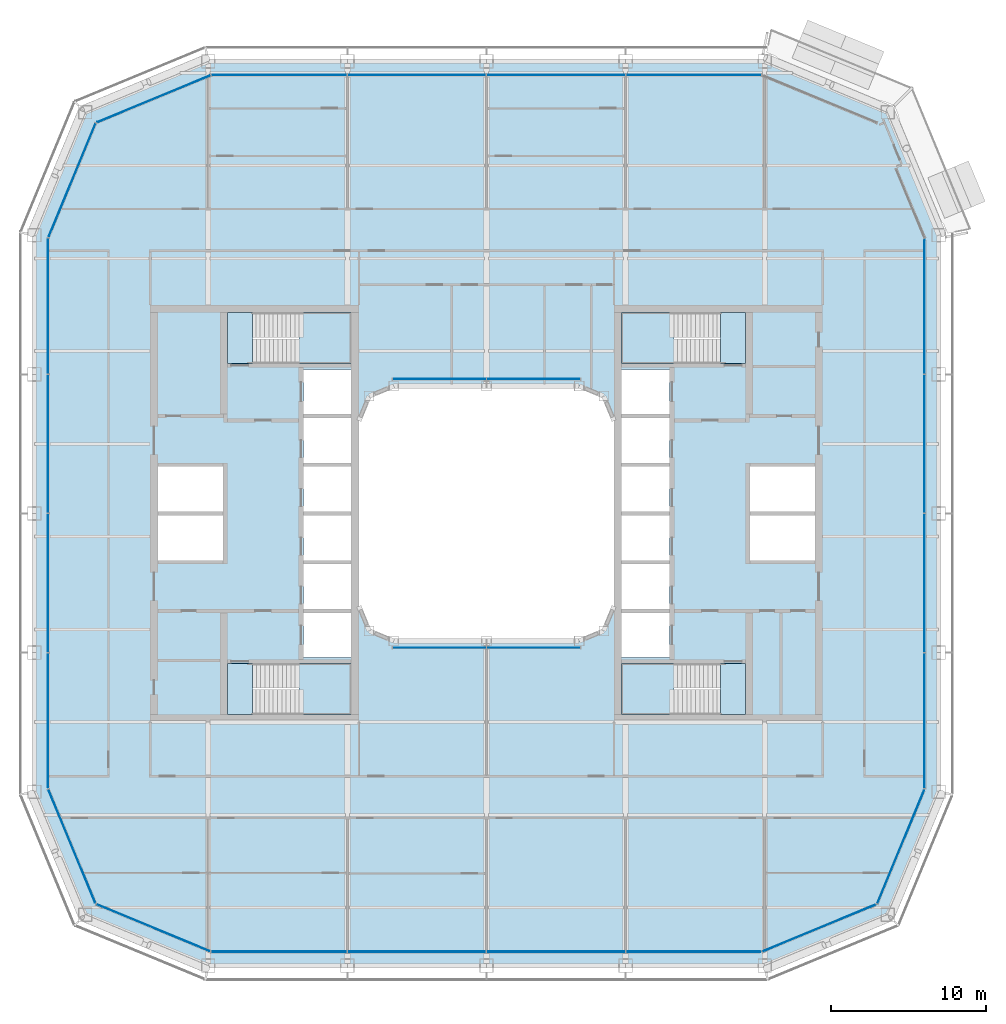
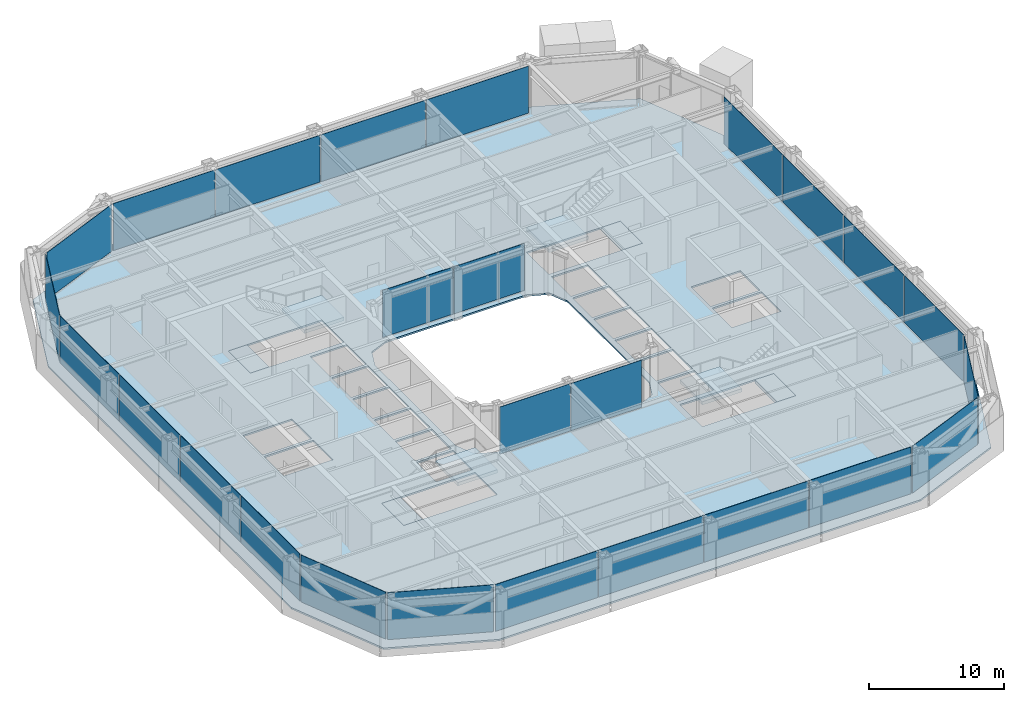
# One storey, part 10 of 24: 26 plates, 9 slabs, 16 elements without a shape of their own.
"""IFC4 building model written with IfcOpenShell, lengths in metres."""

from ifc_helpers import new_model, si_unit, direction, frame, origin, origin_2d, place, context, subcontext, project, spatial, polyline, rectangle, outline, extrude, material, layer, layer_set, type_object, element, aggregate, save


model = new_model("IFC4")

# Units and contexts
model_context = context("Model", 3, precision=1e-05, world=origin(), true_north=direction((0.0, 1.0)))
body_context = subcontext(model_context, "Body", "Model", "MODEL_VIEW")
ifc_project = project(units=[si_unit("LENGTHUNIT", "METRE"), si_unit("AREAUNIT", "SQUARE_METRE"), si_unit("VOLUMEUNIT", "CUBIC_METRE"), si_unit("PLANEANGLEUNIT", "RADIAN"), si_unit("MASSUNIT", "GRAM", prefix="KILO")], contexts=[model_context])

# Site, building, storey
site_placement = place(None, origin())
site = spatial("IfcSite", under=ifc_project, at=site_placement, CompositionType="ELEMENT")
building_placement = place(site_placement, origin())
building = spatial("IfcBuilding", under=site, at=building_placement, Name="Siwar Civic Tower", CompositionType="ELEMENT")
storey_placement = place(building_placement, frame((0.0, 0.0, 149.699951171875)))
storey = spatial("IfcBuildingStorey", under=building, at=storey_placement, Name="L32", CompositionType="ELEMENT", Elevation=149.699951171875)

# Stair, slabs
ifc_material_1 = material(Name="Concrete C40/50", Category="concrete")
stair_type = type_object("IfcStairType", Name="CORE-STAIR", PredefinedType="TWO_STRAIGHT_RUN_STAIR", material=ifc_material_1)
stair_1_placement = place(storey_placement, origin())
stair_1 = element("IfcStair", 1, at=stair_1_placement, inside=storey, type_object=stair_type, Name="Exit stair ST1", PredefinedType="TWO_STRAIGHT_RUN_STAIR")
ifc_material_2 = material(Name="Concrete C40/50", Category="concrete")
ifc_layer_1 = layer(ifc_material_2, 0.300048828125)
ifc_layer_set_1 = layer_set([ifc_layer_1], Name="Concrete C40/50")
slab_type_1 = type_object("IfcSlabType", Name="CORE-STAIR-LANDING", PredefinedType="LANDING", material=ifc_layer_set_1)
slab_1_placement = place(storey_placement, frame((0.0, 0.0, -0.300048828125)))
slab_1 = element("IfcSlab", 2, at=slab_1_placement, type_object=slab_type_1, Name="ST1 landing 1", PredefinedType="LANDING", context=body_context, shape_type="SweptSolid", body=[
    extrude(outline(polyline([(-15.14990234375, 13.0), (-16.75, 13.0), (-16.75, 9.699951171875), (-15.14990234375, 9.699951171875), (-15.14990234375, 13.0)])), origin(), (0.0, 0.0, 1.0), 0.300048828125),
])
slab_2_placement = place(storey_placement, frame((0.0, 0.0, 1.949951171875)))
slab_2 = element("IfcSlab", 3, at=slab_2_placement, type_object=slab_type_1, Name="ST1 landing 2", PredefinedType="LANDING", context=body_context, shape_type="SweptSolid", body=[
    extrude(outline(polyline([(-8.75, 13.0), (-12.139892578125, 13.0), (-12.139892578125, 9.699951171875), (-8.75, 9.699951171875), (-8.75, 13.0)])), origin(), (0.0, 0.0, 1.0), 0.300048828125),
])
aggregate(stair_1, [slab_1, slab_2])

stair_2_placement = place(storey_placement, origin())
stair_2 = element("IfcStair", 4, at=stair_2_placement, inside=storey, type_object=stair_type, Name="Exit stair ST2", PredefinedType="TWO_STRAIGHT_RUN_STAIR")
slab_3_placement = place(storey_placement, frame((0.0, 0.0, -0.300048828125)))
slab_3 = element("IfcSlab", 5, at=slab_3_placement, type_object=slab_type_1, Name="ST2 landing 1", PredefinedType="LANDING", context=body_context, shape_type="SweptSolid", body=[
    extrude(outline(polyline([(-15.14990234375, -9.699951171875), (-16.75, -9.699951171875), (-16.75, -13.0), (-15.14990234375, -13.0), (-15.14990234375, -9.699951171875)])), origin(), (0.0, 0.0, 1.0), 0.300048828125),
])
slab_4_placement = place(storey_placement, frame((0.0, 0.0, 1.949951171875)))
slab_4 = element("IfcSlab", 6, at=slab_4_placement, type_object=slab_type_1, Name="ST2 landing 2", PredefinedType="LANDING", context=body_context, shape_type="SweptSolid", body=[
    extrude(outline(polyline([(-8.75, -9.699951171875), (-12.139892578125, -9.699951171875), (-12.139892578125, -13.0), (-8.75, -13.0), (-8.75, -9.699951171875)])), origin(), (0.0, 0.0, 1.0), 0.300048828125),
])
aggregate(stair_2, [slab_3, slab_4])

stair_3_placement = place(storey_placement, origin())
stair_3 = element("IfcStair", 7, at=stair_3_placement, inside=storey, type_object=stair_type, Name="Exit stair ST3", PredefinedType="TWO_STRAIGHT_RUN_STAIR")
slab_5_placement = place(storey_placement, frame((0.0, 0.0, -0.300048828125)))
slab_5 = element("IfcSlab", 8, at=slab_5_placement, type_object=slab_type_1, Name="ST3 landing 1", PredefinedType="LANDING", context=body_context, shape_type="SweptSolid", body=[
    extrude(outline(polyline([(15.14990234375, 9.699951171875), (16.75, 9.699951171875), (16.75, 13.0), (15.14990234375, 13.0), (15.14990234375, 9.699951171875)])), origin(), (0.0, 0.0, 1.0), 0.300048828125),
])
slab_6_placement = place(storey_placement, frame((0.0, 0.0, 1.949951171875)))
slab_6 = element("IfcSlab", 9, at=slab_6_placement, type_object=slab_type_1, Name="ST3 landing 2", PredefinedType="LANDING", context=body_context, shape_type="SweptSolid", body=[
    extrude(outline(polyline([(8.75, 9.699951171875), (12.139892578125, 9.699951171875), (12.139892578125, 13.0), (8.75, 13.0), (8.75, 9.699951171875)])), origin(), (0.0, 0.0, 1.0), 0.300048828125),
])
aggregate(stair_3, [slab_5, slab_6])

stair_4_placement = place(storey_placement, origin())
stair_4 = element("IfcStair", 10, at=stair_4_placement, inside=storey, type_object=stair_type, Name="Exit stair ST4", PredefinedType="TWO_STRAIGHT_RUN_STAIR")
slab_7_placement = place(storey_placement, frame((0.0, 0.0, -0.300048828125)))
slab_7 = element("IfcSlab", 11, at=slab_7_placement, type_object=slab_type_1, Name="ST4 landing 1", PredefinedType="LANDING", context=body_context, shape_type="SweptSolid", body=[
    extrude(outline(polyline([(15.14990234375, -13.0), (16.75, -13.0), (16.75, -9.699951171875), (15.14990234375, -9.699951171875), (15.14990234375, -13.0)])), origin(), (0.0, 0.0, 1.0), 0.300048828125),
])
slab_8_placement = place(storey_placement, frame((0.0, 0.0, 1.949951171875)))
slab_8 = element("IfcSlab", 12, at=slab_8_placement, type_object=slab_type_1, Name="ST4 landing 2", PredefinedType="LANDING", context=body_context, shape_type="SweptSolid", body=[
    extrude(outline(polyline([(8.75, -13.0), (12.139892578125, -13.0), (12.139892578125, -9.699951171875), (8.75, -9.699951171875), (8.75, -13.0)])), origin(), (0.0, 0.0, 1.0), 0.300048828125),
])
aggregate(stair_4, [slab_7, slab_8])

# Curtain wall, plates
ifc_material_3 = material(Name="Aluminium and glass", Category="aluminium")
ifc_layer_2 = layer(ifc_material_3, 0.199951171875)
ifc_layer_set_2 = layer_set([ifc_layer_2], Name="Aluminium and glass")
curtain_wall_type_1 = type_object("IfcCurtainWallType", Name="ENV-CW-B", PredefinedType="NOTDEFINED", material=ifc_layer_set_2)
curtain_wall_1_placement = place(storey_placement, origin())
curtain_wall_1 = element("IfcCurtainWall", 13, at=curtain_wall_1_placement, inside=storey, type_object=curtain_wall_type_1, Name="Curtain wall B S", PredefinedType="NOTDEFINED")
ifc_material_4 = material(Name="Glass clear laminated", Category="glass")
ifc_layer_3 = layer(ifc_material_4, 0.033935546875)
ifc_layer_set_3 = layer_set([ifc_layer_3], Name="Glass clear laminated")
plate_type_1 = type_object("IfcPlateType", Name="ENV-PANEL-B", PredefinedType="CURTAIN_PANEL", material=ifc_layer_set_3)
plate_1_placement = place(storey_placement, frame((-13.410400390625, -28.35009765625, 0.10986328125), z_axis=(0.0, 0.0, 1.0), x_axis=(1.0, 0.0, 0.0)))
plate_1 = element("IfcPlate", 14, at=plate_1_placement, type_object=plate_type_1, Name="Curtain panel B S 1", PredefinedType="CURTAIN_PANEL", context=body_context, shape_type="SweptSolid", body=[
    extrude(rectangle(XDim=8.755859375, YDim=0.033935546875, at=origin_2d()), origin(), (0.0, 0.0, 1.0), 4.239990234375),
])
plate_2_placement = place(storey_placement, frame((-4.5, -28.35009765625, 0.10986328125), z_axis=(0.0, 0.0, 1.0), x_axis=(1.0, 0.0, 0.0)))
plate_2 = element("IfcPlate", 15, at=plate_2_placement, type_object=plate_type_1, Name="Curtain panel B S 2", PredefinedType="CURTAIN_PANEL", context=body_context, shape_type="SweptSolid", body=[
    extrude(rectangle(XDim=8.93505859375, YDim=0.033935546875, at=origin_2d()), origin(), (0.0, 0.0, 1.0), 4.239990234375),
])
plate_3_placement = place(storey_placement, frame((4.5, -28.35009765625, 0.10986328125), z_axis=(0.0, 0.0, 1.0), x_axis=(1.0, 0.0, 0.0)))
plate_3 = element("IfcPlate", 16, at=plate_3_placement, type_object=plate_type_1, Name="Curtain panel B S 3", PredefinedType="CURTAIN_PANEL", context=body_context, shape_type="SweptSolid", body=[
    extrude(rectangle(XDim=8.93505859375, YDim=0.033935546875, at=origin_2d()), origin(), (0.0, 0.0, 1.0), 4.239990234375),
])
plate_4_placement = place(storey_placement, frame((13.369873046875, -28.35009765625, 0.10986328125), z_axis=(0.0, 0.0, 1.0), x_axis=(1.0, 0.0, 0.0)))
plate_4 = element("IfcPlate", 17, at=plate_4_placement, type_object=plate_type_1, Name="Curtain panel B S 4", PredefinedType="CURTAIN_PANEL", context=body_context, shape_type="SweptSolid", body=[
    extrude(rectangle(XDim=8.6748046875, YDim=0.033935546875, at=origin_2d()), origin(), (0.0, 0.0, 1.0), 4.239990234375),
])
aggregate(curtain_wall_1, [plate_1, plate_2, plate_3, plate_4])

curtain_wall_2_placement = place(storey_placement, origin())
curtain_wall_2 = element("IfcCurtainWall", 18, at=curtain_wall_2_placement, inside=storey, type_object=curtain_wall_type_1, Name="Curtain wall B E", PredefinedType="NOTDEFINED")
plate_5_placement = place(storey_placement, frame((28.35009765625, -13.410400390625, 0.10986328125), z_axis=(0.0, 0.0, 1.0), x_axis=(0.0, 1.0, 0.0)))
plate_5 = element("IfcPlate", 19, at=plate_5_placement, type_object=plate_type_1, Name="Curtain panel B E 1", PredefinedType="CURTAIN_PANEL", context=body_context, shape_type="SweptSolid", body=[
    extrude(rectangle(XDim=8.755859375, YDim=0.033935546875, at=origin_2d()), origin(), (0.0, 0.0, 1.0), 4.239990234375),
])
plate_6_placement = place(storey_placement, frame((28.35009765625, -4.5, 0.10986328125), z_axis=(0.0, 0.0, 1.0), x_axis=(0.0, 1.0, 0.0)))
plate_6 = element("IfcPlate", 20, at=plate_6_placement, type_object=plate_type_1, Name="Curtain panel B E 2", PredefinedType="CURTAIN_PANEL", context=body_context, shape_type="SweptSolid", body=[
    extrude(rectangle(XDim=8.93505859375, YDim=0.033935546875, at=origin_2d()), origin(), (0.0, 0.0, 1.0), 4.239990234375),
])
plate_7_placement = place(storey_placement, frame((28.35009765625, 4.5, 0.10986328125), z_axis=(0.0, 0.0, 1.0), x_axis=(0.0, 1.0, 0.0)))
plate_7 = element("IfcPlate", 21, at=plate_7_placement, type_object=plate_type_1, Name="Curtain panel B E 3", PredefinedType="CURTAIN_PANEL", context=body_context, shape_type="SweptSolid", body=[
    extrude(rectangle(XDim=8.93505859375, YDim=0.033935546875, at=origin_2d()), origin(), (0.0, 0.0, 1.0), 4.239990234375),
])
plate_8_placement = place(storey_placement, frame((28.35009765625, 13.369873046875, 0.10986328125), z_axis=(0.0, 0.0, 1.0), x_axis=(0.0, 1.0, 0.0)))
plate_8 = element("IfcPlate", 22, at=plate_8_placement, type_object=plate_type_1, Name="Curtain panel B E 4", PredefinedType="CURTAIN_PANEL", context=body_context, shape_type="SweptSolid", body=[
    extrude(rectangle(XDim=8.6748046875, YDim=0.033935546875, at=origin_2d()), origin(), (0.0, 0.0, 1.0), 4.239990234375),
])
aggregate(curtain_wall_2, [plate_5, plate_6, plate_7, plate_8])

curtain_wall_3_placement = place(storey_placement, origin())
curtain_wall_3 = element("IfcCurtainWall", 23, at=curtain_wall_3_placement, inside=storey, type_object=curtain_wall_type_1, Name="Curtain wall B N", PredefinedType="NOTDEFINED")
plate_9_placement = place(storey_placement, frame((13.410400390625, 28.35009765625, 0.10986328125), z_axis=(0.0, 0.0, 1.0), x_axis=(-1.0, 0.0, 0.0)))
plate_9 = element("IfcPlate", 24, at=plate_9_placement, type_object=plate_type_1, Name="Curtain panel B N 1", PredefinedType="CURTAIN_PANEL", context=body_context, shape_type="SweptSolid", body=[
    extrude(rectangle(XDim=8.755859375, YDim=0.033935546875, at=origin_2d()), origin(), (0.0, 0.0, 1.0), 4.239990234375),
])
plate_10_placement = place(storey_placement, frame((4.5, 28.35009765625, 0.10986328125), z_axis=(0.0, 0.0, 1.0), x_axis=(-1.0, 0.0, 0.0)))
plate_10 = element("IfcPlate", 25, at=plate_10_placement, type_object=plate_type_1, Name="Curtain panel B N 2", PredefinedType="CURTAIN_PANEL", context=body_context, shape_type="SweptSolid", body=[
    extrude(rectangle(XDim=8.93505859375, YDim=0.033935546875, at=origin_2d()), origin(), (0.0, 0.0, 1.0), 4.239990234375),
])
plate_11_placement = place(storey_placement, frame((-4.5, 28.35009765625, 0.10986328125), z_axis=(0.0, 0.0, 1.0), x_axis=(-1.0, 0.0, 0.0)))
plate_11 = element("IfcPlate", 26, at=plate_11_placement, type_object=plate_type_1, Name="Curtain panel B N 3", PredefinedType="CURTAIN_PANEL", context=body_context, shape_type="SweptSolid", body=[
    extrude(rectangle(XDim=8.93505859375, YDim=0.033935546875, at=origin_2d()), origin(), (0.0, 0.0, 1.0), 4.239990234375),
])
plate_12_placement = place(storey_placement, frame((-13.369873046875, 28.35009765625, 0.10986328125), z_axis=(0.0, 0.0, 1.0), x_axis=(-1.0, 0.0, 0.0)))
plate_12 = element("IfcPlate", 27, at=plate_12_placement, type_object=plate_type_1, Name="Curtain panel B N 4", PredefinedType="CURTAIN_PANEL", context=body_context, shape_type="SweptSolid", body=[
    extrude(rectangle(XDim=8.6748046875, YDim=0.033935546875, at=origin_2d()), origin(), (0.0, 0.0, 1.0), 4.239990234375),
])
aggregate(curtain_wall_3, [plate_9, plate_10, plate_11, plate_12])

curtain_wall_4_placement = place(storey_placement, origin())
curtain_wall_4 = element("IfcCurtainWall", 28, at=curtain_wall_4_placement, inside=storey, type_object=curtain_wall_type_1, Name="Curtain wall B W", PredefinedType="NOTDEFINED")
plate_13_placement = place(storey_placement, frame((-28.35009765625, 13.410400390625, 0.10986328125), z_axis=(0.0, 0.0, 1.0), x_axis=(0.0, -1.0, 0.0)))
plate_13 = element("IfcPlate", 29, at=plate_13_placement, type_object=plate_type_1, Name="Curtain panel B W 1", PredefinedType="CURTAIN_PANEL", context=body_context, shape_type="SweptSolid", body=[
    extrude(rectangle(XDim=8.755859375, YDim=0.033935546875, at=origin_2d()), origin(), (0.0, 0.0, 1.0), 4.239990234375),
])
plate_14_placement = place(storey_placement, frame((-28.35009765625, 4.5, 0.10986328125), z_axis=(0.0, 0.0, 1.0), x_axis=(0.0, -1.0, 0.0)))
plate_14 = element("IfcPlate", 30, at=plate_14_placement, type_object=plate_type_1, Name="Curtain panel B W 2", PredefinedType="CURTAIN_PANEL", context=body_context, shape_type="SweptSolid", body=[
    extrude(rectangle(XDim=8.93505859375, YDim=0.033935546875, at=origin_2d()), origin(), (0.0, 0.0, 1.0), 4.239990234375),
])
plate_15_placement = place(storey_placement, frame((-28.35009765625, -4.5, 0.10986328125), z_axis=(0.0, 0.0, 1.0), x_axis=(0.0, -1.0, 0.0)))
plate_15 = element("IfcPlate", 31, at=plate_15_placement, type_object=plate_type_1, Name="Curtain panel B W 3", PredefinedType="CURTAIN_PANEL", context=body_context, shape_type="SweptSolid", body=[
    extrude(rectangle(XDim=8.93505859375, YDim=0.033935546875, at=origin_2d()), origin(), (0.0, 0.0, 1.0), 4.239990234375),
])
plate_16_placement = place(storey_placement, frame((-28.35009765625, -13.369873046875, 0.10986328125), z_axis=(0.0, 0.0, 1.0), x_axis=(0.0, -1.0, 0.0)))
plate_16 = element("IfcPlate", 32, at=plate_16_placement, type_object=plate_type_1, Name="Curtain panel B W 4", PredefinedType="CURTAIN_PANEL", context=body_context, shape_type="SweptSolid", body=[
    extrude(rectangle(XDim=8.6748046875, YDim=0.033935546875, at=origin_2d()), origin(), (0.0, 0.0, 1.0), 4.239990234375),
])
aggregate(curtain_wall_4, [plate_13, plate_14, plate_15, plate_16])

# Curtain wall, plate
ifc_material_5 = material(Name="Aluminium clad insulated panel", Category="aluminium")
ifc_layer_4 = layer(ifc_material_5, 0.199951171875)
ifc_layer_set_4 = layer_set([ifc_layer_4], Name="Aluminium clad insulated panel")
curtain_wall_type_2 = type_object("IfcCurtainWallType", Name="ENV-CW-BX", PredefinedType="NOTDEFINED", material=ifc_layer_set_4)
curtain_wall_5_placement = place(storey_placement, origin())
curtain_wall_5 = element("IfcCurtainWall", 33, at=curtain_wall_5_placement, inside=storey, type_object=curtain_wall_type_2, Name="Curtain wall B SE1", PredefinedType="NOTDEFINED")
ifc_material_6 = material(Name="Aluminium clad insulated panel", Category="aluminium")
ifc_layer_5 = layer(ifc_material_6, 0.033935546875)
ifc_layer_set_5 = layer_set([ifc_layer_5], Name="Aluminium clad insulated panel")
plate_type_2 = type_object("IfcPlateType", Name="ENV-PANEL-BX", PredefinedType="CURTAIN_PANEL", material=ifc_layer_set_5)
plate_17_placement = place(storey_placement, frame((21.506103515625, -26.823486328125, 0.10986328125), z_axis=(0.0, 0.0, 1.0), x_axis=(0.923879532511, 0.382683432365, 0.0)))
plate_17 = element("IfcPlate", 34, at=plate_17_placement, type_object=plate_type_2, Name="Curtain panel B SE1 1", PredefinedType="CURTAIN_PANEL", context=body_context, shape_type="SweptSolid", body=[
    extrude(rectangle(XDim=7.912353515625, YDim=0.033935546875, at=origin_2d()), origin(), (0.0, 0.0, 1.0), 4.239990234375),
])
aggregate(curtain_wall_5, [plate_17])

curtain_wall_6_placement = place(storey_placement, origin())
curtain_wall_6 = element("IfcCurtainWall", 35, at=curtain_wall_6_placement, inside=storey, type_object=curtain_wall_type_2, Name="Curtain wall B SE2", PredefinedType="NOTDEFINED")
plate_18_placement = place(storey_placement, frame((26.79248046875, -21.5810546875, 0.10986328125), z_axis=(0.0, 0.0, 1.0), x_axis=(0.382683432365, 0.923879532511, 0.0)))
plate_18 = element("IfcPlate", 36, at=plate_18_placement, type_object=plate_type_2, Name="Curtain panel B SE2 1", PredefinedType="CURTAIN_PANEL", context=body_context, shape_type="SweptSolid", body=[
    extrude(rectangle(XDim=7.912353515625, YDim=0.033935546875, at=origin_2d()), origin(), (0.0, 0.0, 1.0), 4.239990234375),
])
aggregate(curtain_wall_6, [plate_18])

curtain_wall_7_placement = place(storey_placement, origin())
curtain_wall_7 = element("IfcCurtainWall", 37, at=curtain_wall_7_placement, inside=storey, type_object=curtain_wall_type_2, Name="Curtain wall B NW1", PredefinedType="NOTDEFINED")
plate_19_placement = place(storey_placement, frame((-21.506103515625, 26.823486328125, 0.10986328125), z_axis=(0.0, 0.0, 1.0), x_axis=(-0.923879532511, -0.382683432365, 0.0)))
plate_19 = element("IfcPlate", 38, at=plate_19_placement, type_object=plate_type_2, Name="Curtain panel B NW1 1", PredefinedType="CURTAIN_PANEL", context=body_context, shape_type="SweptSolid", body=[
    extrude(rectangle(XDim=7.912353515625, YDim=0.033935546875, at=origin_2d()), origin(), (0.0, 0.0, 1.0), 4.239990234375),
])
aggregate(curtain_wall_7, [plate_19])

curtain_wall_8_placement = place(storey_placement, origin())
curtain_wall_8 = element("IfcCurtainWall", 39, at=curtain_wall_8_placement, inside=storey, type_object=curtain_wall_type_2, Name="Curtain wall B NW2", PredefinedType="NOTDEFINED")
plate_20_placement = place(storey_placement, frame((-26.79248046875, 21.5810546875, 0.10986328125), z_axis=(0.0, 0.0, 1.0), x_axis=(-0.382683432365, -0.923879532511, 0.0)))
plate_20 = element("IfcPlate", 40, at=plate_20_placement, type_object=plate_type_2, Name="Curtain panel B NW2 1", PredefinedType="CURTAIN_PANEL", context=body_context, shape_type="SweptSolid", body=[
    extrude(rectangle(XDim=7.912353515625, YDim=0.033935546875, at=origin_2d()), origin(), (0.0, 0.0, 1.0), 4.239990234375),
])
aggregate(curtain_wall_8, [plate_20])

curtain_wall_9_placement = place(storey_placement, origin())
curtain_wall_9 = element("IfcCurtainWall", 41, at=curtain_wall_9_placement, inside=storey, type_object=curtain_wall_type_2, Name="Curtain wall B SW1", PredefinedType="NOTDEFINED")
plate_21_placement = place(storey_placement, frame((-26.823486328125, -21.506103515625, 0.10986328125), z_axis=(0.0, 0.0, 1.0), x_axis=(0.382683432365, -0.923879532511, 0.0)))
plate_21 = element("IfcPlate", 42, at=plate_21_placement, type_object=plate_type_2, Name="Curtain panel B SW1 1", PredefinedType="CURTAIN_PANEL", context=body_context, shape_type="SweptSolid", body=[
    extrude(rectangle(XDim=7.912353515625, YDim=0.033935546875, at=origin_2d()), origin(), (0.0, 0.0, 1.0), 4.239990234375),
])
aggregate(curtain_wall_9, [plate_21])

curtain_wall_10_placement = place(storey_placement, origin())
curtain_wall_10 = element("IfcCurtainWall", 43, at=curtain_wall_10_placement, inside=storey, type_object=curtain_wall_type_2, Name="Curtain wall B SW2", PredefinedType="NOTDEFINED")
plate_22_placement = place(storey_placement, frame((-21.5810546875, -26.79248046875, 0.10986328125), z_axis=(0.0, 0.0, 1.0), x_axis=(0.923879532511, -0.382683432365, 0.0)))
plate_22 = element("IfcPlate", 44, at=plate_22_placement, type_object=plate_type_2, Name="Curtain panel B SW2 1", PredefinedType="CURTAIN_PANEL", context=body_context, shape_type="SweptSolid", body=[
    extrude(rectangle(XDim=7.912353515625, YDim=0.033935546875, at=origin_2d()), origin(), (0.0, 0.0, 1.0), 4.239990234375),
])
aggregate(curtain_wall_10, [plate_22])

# Curtain wall, plates
ifc_material_7 = material(Name="Aluminium and glass", Category="aluminium")
ifc_layer_6 = layer(ifc_material_7, 0.179931640625)
ifc_layer_set_6 = layer_set([ifc_layer_6], Name="Aluminium and glass")
curtain_wall_type_3 = type_object("IfcCurtainWallType", Name="ENV-CW-W", PredefinedType="NOTDEFINED", material=ifc_layer_set_6)
curtain_wall_11_placement = place(storey_placement, origin())
curtain_wall_11 = element("IfcCurtainWall", 45, at=curtain_wall_11_placement, inside=storey, type_object=curtain_wall_type_3, Name="Curtain wall W WS", PredefinedType="NOTDEFINED")
ifc_material_8 = material(Name="Glass clear laminated", Category="glass")
ifc_layer_7 = layer(ifc_material_8, 0.031982421875)
ifc_layer_set_7 = layer_set([ifc_layer_7], Name="Glass clear laminated")
plate_type_3 = type_object("IfcPlateType", Name="ENV-PANEL-W", PredefinedType="CURTAIN_PANEL", material=ifc_layer_set_7)
plate_23_placement = place(storey_placement, frame((-3.043212890625, -8.68505859375, 0.10009765625), z_axis=(0.0, 0.0, 1.0), x_axis=(1.0, 0.0, 0.0)))
plate_23 = element("IfcPlate", 46, at=plate_23_placement, type_object=plate_type_3, Name="Curtain panel W WS 1", PredefinedType="CURTAIN_PANEL", context=body_context, shape_type="SweptSolid", body=[
    extrude(rectangle(XDim=6.026611328125, YDim=0.031982421875, at=origin_2d()), origin(), (0.0, 0.0, 1.0), 4.25),
])
plate_24_placement = place(storey_placement, frame((3.043212890625, -8.68505859375, 0.10009765625), z_axis=(0.0, 0.0, 1.0), x_axis=(1.0, 0.0, 0.0)))
plate_24 = element("IfcPlate", 47, at=plate_24_placement, type_object=plate_type_3, Name="Curtain panel W WS 2", PredefinedType="CURTAIN_PANEL", context=body_context, shape_type="SweptSolid", body=[
    extrude(rectangle(XDim=6.026611328125, YDim=0.031982421875, at=origin_2d()), origin(), (0.0, 0.0, 1.0), 4.25),
])
aggregate(curtain_wall_11, [plate_23, plate_24])

curtain_wall_12_placement = place(storey_placement, origin())
curtain_wall_12 = element("IfcCurtainWall", 48, at=curtain_wall_12_placement, inside=storey, type_object=curtain_wall_type_3, Name="Curtain wall W WN", PredefinedType="NOTDEFINED")
plate_25_placement = place(storey_placement, frame((3.043212890625, 8.68505859375, 0.10009765625), z_axis=(0.0, 0.0, 1.0), x_axis=(-1.0, 0.0, 0.0)))
plate_25 = element("IfcPlate", 49, at=plate_25_placement, type_object=plate_type_3, Name="Curtain panel W WN 1", PredefinedType="CURTAIN_PANEL", context=body_context, shape_type="SweptSolid", body=[
    extrude(rectangle(XDim=6.026611328125, YDim=0.031982421875, at=origin_2d()), origin(), (0.0, 0.0, 1.0), 4.25),
])
plate_26_placement = place(storey_placement, frame((-3.043212890625, 8.68505859375, 0.10009765625), z_axis=(0.0, 0.0, 1.0), x_axis=(-1.0, 0.0, 0.0)))
plate_26 = element("IfcPlate", 50, at=plate_26_placement, type_object=plate_type_3, Name="Curtain panel W WN 2", PredefinedType="CURTAIN_PANEL", context=body_context, shape_type="SweptSolid", body=[
    extrude(rectangle(XDim=6.026611328125, YDim=0.031982421875, at=origin_2d()), origin(), (0.0, 0.0, 1.0), 4.25),
])
aggregate(curtain_wall_12, [plate_25, plate_26])

# Slab
ifc_material_9 = material(Name="Concrete C40/50", Category="concrete")
ifc_layer_8 = layer(ifc_material_9, 0.14990234375)
ifc_layer_set_8 = layer_set([ifc_layer_8], Name="Concrete C40/50")
slab_type_2 = type_object("IfcSlabType", Name="STR-FLOOR-DECK-150", PredefinedType="FLOOR", material=ifc_layer_set_8)
slab_9_placement = place(storey_placement, frame((0.0, 0.0, -0.14990234375)))
element("IfcSlab", 51, at=slab_9_placement, inside=storey, type_object=slab_type_2, Name="L32/slab/1", PredefinedType="FLOOR", context=body_context, shape_type="SweptSolid", body=[
    extrude(outline(polyline([(-18.0, -29.25), (18.0, -29.25), (25.954833984375, -25.954833984375), (29.25, -18.0), (29.25, 18.0), (25.954833984375, 25.954833984375), (18.0, 29.25), (-18.0, 29.25), (-25.954833984375, 25.954833984375), (-29.25, 18.0), (-29.25, -18.0), (-25.954833984375, -25.954833984375), (-18.0, -29.25)]), holes=[polyline([(21.25, 3.02490234375), (21.25, 0.125), (17.050048828125, 0.125), (17.050048828125, 3.02490234375), (21.25, 3.02490234375)]), polyline([(17.050048828125, -0.125), (21.25, -0.125), (21.25, -3.02490234375), (17.050048828125, -3.02490234375), (17.050048828125, -0.125)]), polyline([(16.75, 13.0), (16.75, 9.699951171875), (8.75, 9.699951171875), (8.75, 13.0), (16.75, 13.0)]), polyline([(8.75, -9.699951171875), (16.75, -9.699951171875), (16.75, -13.0), (8.75, -13.0), (8.75, -9.699951171875)]), polyline([(11.85009765625, 9.324951171875), (11.85009765625, 6.425048828125), (8.75, 6.425048828125), (8.75, 9.324951171875), (11.85009765625, 9.324951171875)]), polyline([(11.85009765625, 3.02490234375), (11.85009765625, 0.125), (8.75, 0.125), (8.75, 3.02490234375), (11.85009765625, 3.02490234375)]), polyline([(11.85009765625, -0.125), (11.85009765625, -3.02490234375), (8.75, -3.02490234375), (8.75, -0.125), (11.85009765625, -0.125)]), polyline([(11.85009765625, -3.27490234375), (11.85009765625, -6.175048828125), (8.75, -6.175048828125), (8.75, -3.27490234375), (11.85009765625, -3.27490234375)]), polyline([(8.75, 6.175048828125), (11.85009765625, 6.175048828125), (11.85009765625, 3.27490234375), (8.75, 3.27490234375), (8.75, 6.175048828125)]), polyline([(8.75, -6.425048828125), (11.85009765625, -6.425048828125), (11.85009765625, -9.324951171875), (8.75, -9.324951171875), (8.75, -6.425048828125)]), polyline([(-6.0, 8.25), (6.0, 8.25), (7.591064453125, 7.591064453125), (8.25, 6.0), (8.25, -6.0), (7.591064453125, -7.591064453125), (6.0, -8.25), (-6.0, -8.25), (-7.591064453125, -7.591064453125), (-8.25, -6.0), (-8.25, 6.0), (-7.591064453125, 7.591064453125), (-6.0, 8.25)]), polyline([(-8.75, 9.699951171875), (-16.75, 9.699951171875), (-16.75, 13.0), (-8.75, 13.0), (-8.75, 9.699951171875)]), polyline([(-8.75, 0.125), (-11.85009765625, 0.125), (-11.85009765625, 3.02490234375), (-8.75, 3.02490234375), (-8.75, 0.125)]), polyline([(-8.75, -6.175048828125), (-11.85009765625, -6.175048828125), (-11.85009765625, -3.27490234375), (-8.75, -3.27490234375), (-8.75, -6.175048828125)]), polyline([(-8.75, -9.324951171875), (-11.85009765625, -9.324951171875), (-11.85009765625, -6.425048828125), (-8.75, -6.425048828125), (-8.75, -9.324951171875)]), polyline([(-8.75, -13.0), (-16.75, -13.0), (-16.75, -9.699951171875), (-8.75, -9.699951171875), (-8.75, -13.0)]), polyline([(-11.85009765625, 6.425048828125), (-11.85009765625, 9.324951171875), (-8.75, 9.324951171875), (-8.75, 6.425048828125), (-11.85009765625, 6.425048828125)]), polyline([(-11.85009765625, 3.27490234375), (-11.85009765625, 6.175048828125), (-8.75, 6.175048828125), (-8.75, 3.27490234375), (-11.85009765625, 3.27490234375)]), polyline([(-11.85009765625, -3.02490234375), (-11.85009765625, -0.125), (-8.75, -0.125), (-8.75, -3.02490234375), (-11.85009765625, -3.02490234375)]), polyline([(-21.25, -3.02490234375), (-21.25, -0.125), (-17.050048828125, -0.125), (-17.050048828125, -3.02490234375), (-21.25, -3.02490234375)]), polyline([(-17.050048828125, 0.125), (-21.25, 0.125), (-21.25, 3.02490234375), (-17.050048828125, 3.02490234375), (-17.050048828125, 0.125)])]), origin(), (0.0, 0.0, 1.0), 0.14990234375),
])

save(model, "model.ifc")
